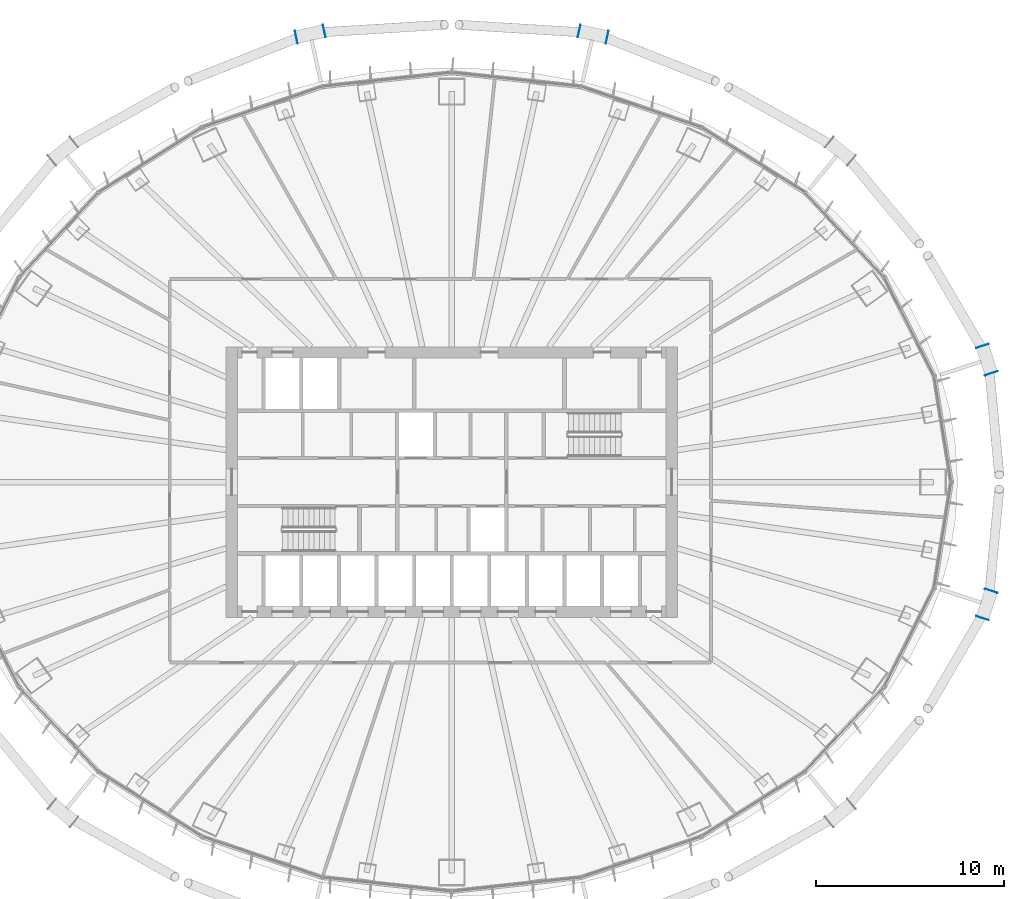
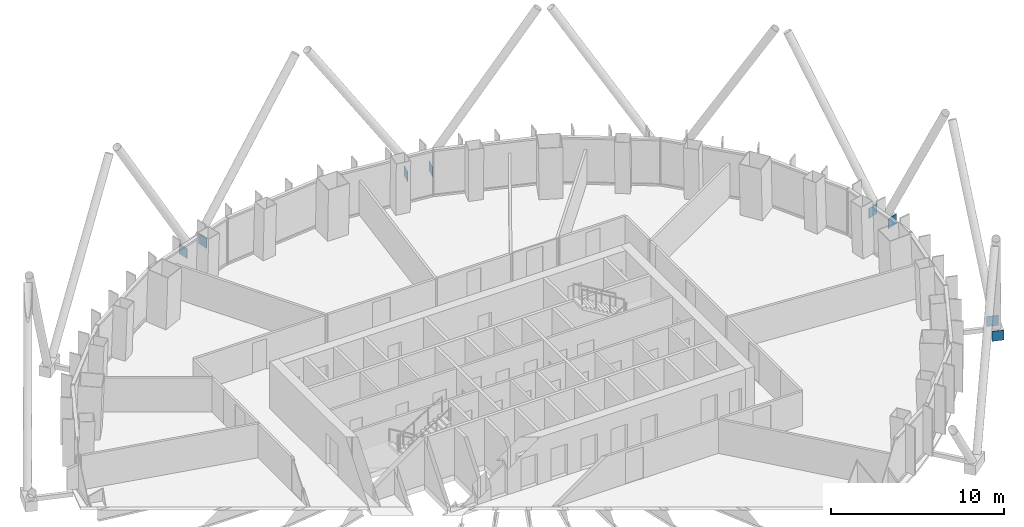
# One storey, part 14 of 18: 8 discrete accessories.
"""IFC4 building model written with IfcOpenShell, lengths in metres."""

from ifc_helpers import new_model, si_unit, direction, frame, origin, origin_2d, place, context, subcontext, project, spatial, rectangle, extrude, material, layer, layer_set, type_object, element, save


model = new_model("IFC4")

# Units and contexts
model_context = context("Model", 3, precision=1e-05, world=origin(), true_north=direction((0.0, 1.0)))
body_context = subcontext(model_context, "Body", "Model", "MODEL_VIEW")
ifc_project = project(units=[si_unit("LENGTHUNIT", "METRE"), si_unit("AREAUNIT", "SQUARE_METRE"), si_unit("VOLUMEUNIT", "CUBIC_METRE"), si_unit("PLANEANGLEUNIT", "RADIAN"), si_unit("MASSUNIT", "GRAM", prefix="KILO")], contexts=[model_context])

# Site, building, storey
site_placement = place(None, origin())
site = spatial("IfcSite", under=ifc_project, at=site_placement, CompositionType="ELEMENT")
building_placement = place(site_placement, origin())
building = spatial("IfcBuilding", under=site, at=building_placement, Name="Siaravel Broadcast Tower", CompositionType="ELEMENT")
storey_placement = place(building_placement, frame((0.0, 0.0, 81.5)))
storey = spatial("IfcBuildingStorey", under=building, at=storey_placement, Name="L19", CompositionType="ELEMENT", Elevation=81.5)

# Discrete accessories
ifc_material = material(Name="Steel S355", Category="steel")
ifc_layer = layer(ifc_material, 0.02001953125)
ifc_layer_set = layer_set([ifc_layer], Name="Steel S355")
discrete_accessory_type = type_object("IfcDiscreteAccessoryType", Name="Steel end plate 20 mm", PredefinedType="USERDEFINED", material=ifc_layer_set)
for number, where, z_axis, x_axis, name in (
    (1, (28.23046875, 7.23974609375, -0.5498046875), (0.0, 0.0, 1.0), (-0.310908675, 0.950439791, 0.0), "End plate R08 station 03A"),
    (2, (28.705078125, 5.78857421875, -0.5498046875), (0.0, 0.0, 1.0), (-0.310908675, 0.950439791, 0.0), "End plate R08 station 03B"),
    (3, (6.77734375, 23.997314453125, -0.5498046875), (0.0, 0.0, 1.0), (-0.976750917, 0.214377344, 0.0), "End plate R08 station 15A"),
    (4, (8.268798828125, 23.669921875, -0.5498046875), (0.0, 0.0, 1.0), (-0.976750917, 0.214377344, 0.0), "End plate R08 station 15B"),
    (5, (-8.268798828125, 23.669921875, -0.5498046875), (0.0, 0.0, 1.0), (-0.976750917, -0.214377344, 0.0), "End plate R08 station 21A"),
    (6, (-6.77734375, 23.997314453125, -0.5498046875), (0.0, 0.0, 1.0), (-0.976750917, -0.214377344, 0.0), "End plate R08 station 21B"),
    (7, (28.705078125, -5.78857421875, -0.5498046875), (0.0, 0.0, 1.0), (0.310908675, 0.950439791, 0.0), "End plate R08 station 69A"),
    (8, (28.23046875, -7.23974609375, -0.5498046875), (0.0, 0.0, 1.0), (0.310908675, 0.950439791, 0.0), "End plate R08 station 69B"),
):
    element("IfcDiscreteAccessory", number, at=place(storey_placement, frame(where, z_axis=z_axis, x_axis=x_axis)), inside=storey, type_object=discrete_accessory_type, Name=name, ObjectType="END PLATE", PredefinedType="USERDEFINED", context=body_context, shape_type="SweptSolid", body=[
        extrude(rectangle(XDim=0.02001953125, YDim=0.699951171875, at=origin_2d()), origin(), (0.0, 0.0, 1.0), 0.699951171875),
    ])

save(model, "model.ifc")
